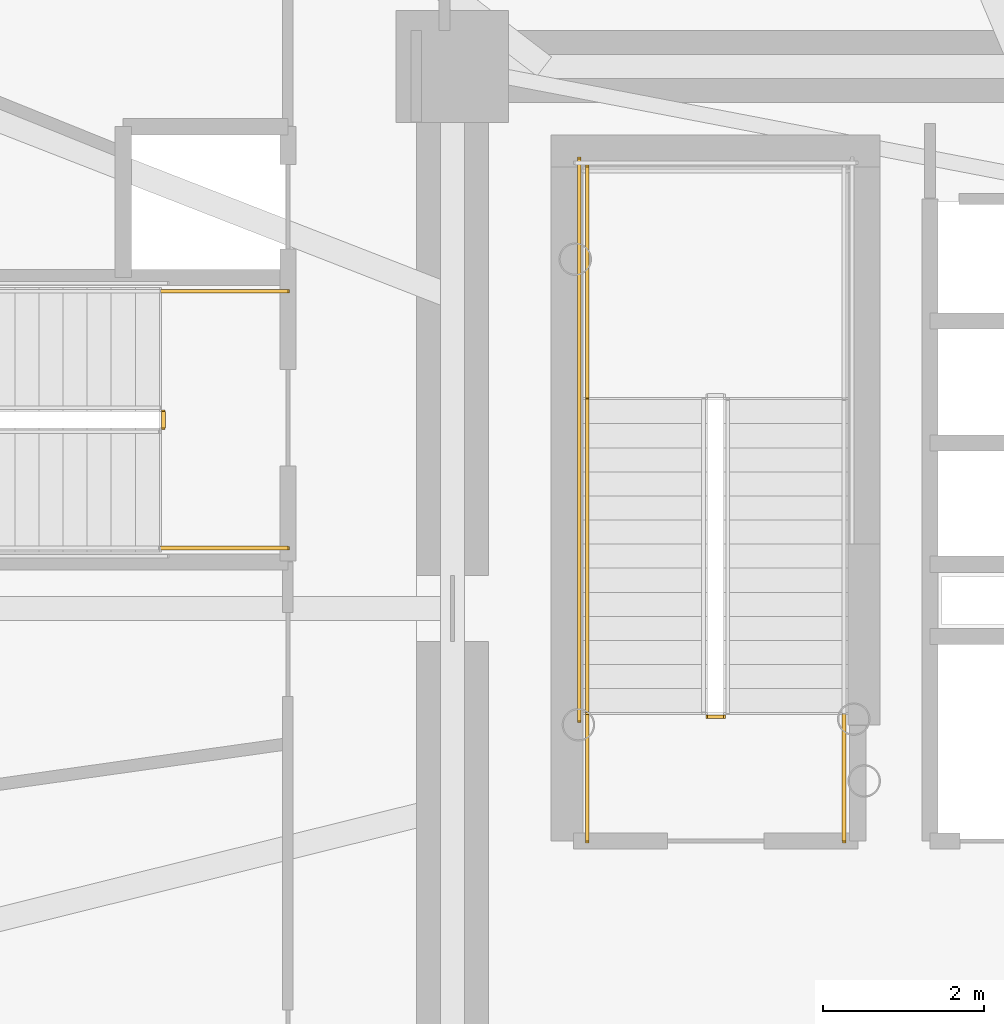
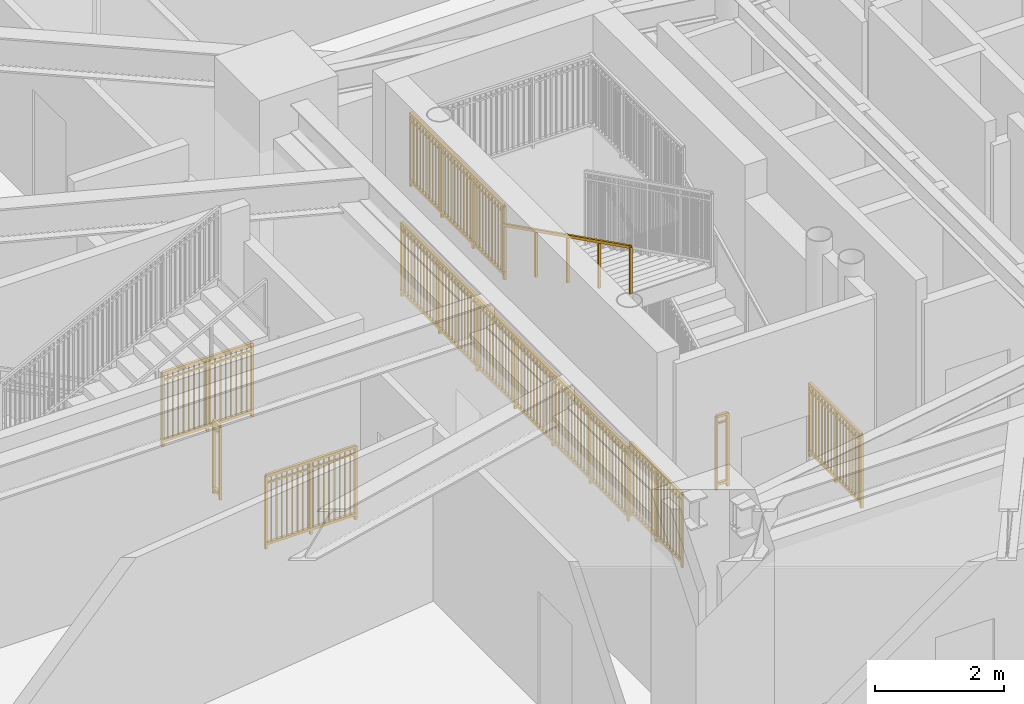
# One storey, part 21 of 29: 9 railings.
"""IFC4 building model written with IfcOpenShell, lengths in metres."""

from ifc_helpers import new_model, si_unit, direction, frame, origin, origin_2d, place, context, subcontext, project, spatial, rectangle, extrude, source, transform, mapped, material, type_object, element, save


model = new_model("IFC4")

# Units and contexts
model_context = context("Model", 3, precision=1e-05, world=origin(), true_north=direction((0.0, 1.0)))
body_context = subcontext(model_context, "Body", "Model", "MODEL_VIEW")
ifc_project = project(units=[si_unit("LENGTHUNIT", "METRE"), si_unit("AREAUNIT", "SQUARE_METRE"), si_unit("VOLUMEUNIT", "CUBIC_METRE"), si_unit("PLANEANGLEUNIT", "RADIAN"), si_unit("MASSUNIT", "GRAM", prefix="KILO")], contexts=[model_context])

# Site, building, storey
site_placement = place(None, origin())
site = spatial("IfcSite", under=ifc_project, at=site_placement, CompositionType="ELEMENT")
building_placement = place(site_placement, origin())
building = spatial("IfcBuilding", under=site, at=building_placement, Name="Linh Dai School and Residence Tower", CompositionType="ELEMENT")
storey_placement = place(building_placement, frame((0.0, 0.0, 45.0)))
storey = spatial("IfcBuildingStorey", under=building, at=storey_placement, Name="L10", CompositionType="ELEMENT", Elevation=45.0)

# Railings
ifc_material_1 = material(Name="Structural Steel S355JR", Category="steel")
railing_type_1 = type_object("IfcRailingType", Name="RL-ST-GUARD-1400", PredefinedType="GUARDRAIL", material=ifc_material_1)
shared_shape_1 = source(origin(), body_context, "Body", "SweptSolid", [
    extrude(rectangle(XDim=0.048095703125, YDim=0.048095703125, at=origin_2d()), frame((0.0, 0.0, 1.3759765625), z_axis=(-1.0, 0.0, 0.0), x_axis=(0.0, -1.0, 0.0)), (0.0, 0.0, 1.0), 0.199951171875),
    extrude(rectangle(XDim=0.048095703125, YDim=0.048095703125, at=origin_2d()), frame((0.0, 0.0, 0.10009765625), z_axis=(-1.0, 0.0, 0.0), x_axis=(0.0, -1.0, 0.0)), (0.0, 0.0, 1.0), 0.199951171875),
    extrude(rectangle(XDim=0.030029296875, YDim=0.030029296875, at=origin_2d()), frame((0.0, 0.0, 1.239990234375), z_axis=(-1.0, 0.0, 0.0), x_axis=(0.0, -1.0, 0.0)), (0.0, 0.0, 1.0), 0.199951171875),
    extrude(rectangle(XDim=0.0419921875, YDim=0.0419921875, at=origin_2d()), origin(), (0.0, 0.0, 1.0), 1.3759765625),
    extrude(rectangle(XDim=0.0419921875, YDim=0.0419921875, at=origin_2d()), frame((-0.199951171875, 0.0, 0.0)), (0.0, 0.0, 1.0), 1.3759765625),
])
railing_1_placement = place(storey_placement, frame((29.429931640625, 25.64990234375, 0.0)))
element("IfcRailing", 1, at=railing_1_placement, inside=storey, type_object=railing_type_1, Name="L10 ST1 stair guard 7", PredefinedType="GUARDRAIL", context=body_context, shape_type="MappedRepresentation", body=[
    mapped(shared_shape_1, transform((0.0, 0.0, 0.0), x_axis=(1.0, 0.0, 0.0), y_axis=(0.0, 1.0, 0.0), z_axis=(0.0, 0.0, 1.0), scale=1.0)),
])
shared_shape_2 = source(origin(), body_context, "Body", "SweptSolid", [
    extrude(rectangle(XDim=0.048095703125, YDim=0.048095703125, at=origin_2d()), frame((0.0, 0.0, 1.3759765625), z_axis=(0.0, 1.0, 0.0), x_axis=(-1.0, 0.0, 0.0)), (0.0, 0.0, 1.0), 1.599853515625),
    extrude(rectangle(XDim=0.048095703125, YDim=0.048095703125, at=origin_2d()), frame((0.0, 0.0, 0.10009765625), z_axis=(0.0, 1.0, 0.0), x_axis=(-1.0, 0.0, 0.0)), (0.0, 0.0, 1.0), 1.599853515625),
    extrude(rectangle(XDim=0.030029296875, YDim=0.030029296875, at=origin_2d()), frame((0.0, 0.0, 1.239990234375), z_axis=(0.0, 1.0, 0.0), x_axis=(-1.0, 0.0, 0.0)), (0.0, 0.0, 1.0), 1.599853515625),
    extrude(rectangle(XDim=0.02001953125, YDim=0.02001953125, at=origin_2d()), frame((0.0, 0.093994140625, 0.10009765625)), (0.0, 0.0, 1.0), 1.251708984375),
    extrude(rectangle(XDim=0.02001953125, YDim=0.02001953125, at=origin_2d()), frame((0.0, 0.188232421875, 0.10009765625)), (0.0, 0.0, 1.0), 1.251708984375),
    extrude(rectangle(XDim=0.02001953125, YDim=0.02001953125, at=origin_2d()), frame((0.0, 0.2822265625, 0.10009765625)), (0.0, 0.0, 1.0), 1.251708984375),
    extrude(rectangle(XDim=0.02001953125, YDim=0.02001953125, at=origin_2d()), frame((0.0, 0.37646484375, 0.10009765625)), (0.0, 0.0, 1.0), 1.251708984375),
    extrude(rectangle(XDim=0.02001953125, YDim=0.02001953125, at=origin_2d()), frame((0.0, 0.470458984375, 0.10009765625)), (0.0, 0.0, 1.0), 1.251708984375),
    extrude(rectangle(XDim=0.02001953125, YDim=0.02001953125, at=origin_2d()), frame((0.0, 0.564697265625, 0.10009765625)), (0.0, 0.0, 1.0), 1.251708984375),
    extrude(rectangle(XDim=0.02001953125, YDim=0.02001953125, at=origin_2d()), frame((0.0, 0.65869140625, 0.10009765625)), (0.0, 0.0, 1.0), 1.251708984375),
    extrude(rectangle(XDim=0.02001953125, YDim=0.02001953125, at=origin_2d()), frame((0.0, 0.7529296875, 0.10009765625)), (0.0, 0.0, 1.0), 1.251708984375),
    extrude(rectangle(XDim=0.02001953125, YDim=0.02001953125, at=origin_2d()), frame((0.0, 0.846923828125, 0.10009765625)), (0.0, 0.0, 1.0), 1.251708984375),
    extrude(rectangle(XDim=0.02001953125, YDim=0.02001953125, at=origin_2d()), frame((0.0, 0.941162109375, 0.10009765625)), (0.0, 0.0, 1.0), 1.251708984375),
    extrude(rectangle(XDim=0.02001953125, YDim=0.02001953125, at=origin_2d()), frame((0.0, 1.03515625, 0.10009765625)), (0.0, 0.0, 1.0), 1.251708984375),
    extrude(rectangle(XDim=0.02001953125, YDim=0.02001953125, at=origin_2d()), frame((0.0, 1.12939453125, 0.10009765625)), (0.0, 0.0, 1.0), 1.251708984375),
    extrude(rectangle(XDim=0.02001953125, YDim=0.02001953125, at=origin_2d()), frame((0.0, 1.223388671875, 0.10009765625)), (0.0, 0.0, 1.0), 1.251708984375),
    extrude(rectangle(XDim=0.02001953125, YDim=0.02001953125, at=origin_2d()), frame((0.0, 1.317626953125, 0.10009765625)), (0.0, 0.0, 1.0), 1.251708984375),
    extrude(rectangle(XDim=0.02001953125, YDim=0.02001953125, at=origin_2d()), frame((0.0, 1.41162109375, 0.10009765625)), (0.0, 0.0, 1.0), 1.251708984375),
    extrude(rectangle(XDim=0.02001953125, YDim=0.02001953125, at=origin_2d()), frame((0.0, 1.505859375, 0.10009765625)), (0.0, 0.0, 1.0), 1.251708984375),
    extrude(rectangle(XDim=0.0419921875, YDim=0.0419921875, at=origin_2d()), origin(), (0.0, 0.0, 1.0), 1.3759765625),
    extrude(rectangle(XDim=0.0419921875, YDim=0.0419921875, at=origin_2d()), frame((0.0, 0.7998046875, 0.0)), (0.0, 0.0, 1.0), 1.3759765625),
    extrude(rectangle(XDim=0.0419921875, YDim=0.0419921875, at=origin_2d()), frame((0.0, 1.599853515625, 0.0)), (0.0, 0.0, 1.0), 1.3759765625),
])
for number, where, name in (
    (2, (30.929931640625, 24.10009765625, 0.0), "L10 ST1 stair guard 8"),
    (3, (27.72998046875, 24.10009765625, 0.0), "L10 ST1 stair guard 9"),
):
    element("IfcRailing", number, at=place(storey_placement, frame(where)), inside=storey, type_object=railing_type_1, Name=name, PredefinedType="GUARDRAIL", context=body_context, shape_type="MappedRepresentation", body=[
        mapped(shared_shape_2, transform((0.0, 0.0, 0.0), x_axis=(1.0, 0.0, 0.0), y_axis=(0.0, 1.0, 0.0), z_axis=(0.0, 0.0, 1.0), scale=1.0)),
    ])
shared_shape_3 = source(origin(), body_context, "Body", "SweptSolid", [
    extrude(rectangle(XDim=0.048095703125, YDim=0.048095703125, at=origin_2d()), frame((0.0, 0.0, 1.3759765625), z_axis=(0.0, 1.0, 0.0), x_axis=(-1.0, 0.0, 0.0)), (0.0, 0.0, 1.0), 7.0),
    extrude(rectangle(XDim=0.048095703125, YDim=0.048095703125, at=origin_2d()), frame((0.0, 0.0, 0.10009765625), z_axis=(0.0, 1.0, 0.0), x_axis=(-1.0, 0.0, 0.0)), (0.0, 0.0, 1.0), 7.0),
    extrude(rectangle(XDim=0.030029296875, YDim=0.030029296875, at=origin_2d()), frame((0.0, 0.0, 1.239990234375), z_axis=(0.0, 1.0, 0.0), x_axis=(-1.0, 0.0, 0.0)), (0.0, 0.0, 1.0), 7.0),
    extrude(rectangle(XDim=0.02001953125, YDim=0.02001953125, at=origin_2d()), frame((0.0, 0.09716796875, 0.10009765625)), (0.0, 0.0, 1.0), 1.251708984375),
    extrude(rectangle(XDim=0.02001953125, YDim=0.02001953125, at=origin_2d()), frame((0.0, 0.1943359375, 0.10009765625)), (0.0, 0.0, 1.0), 1.251708984375),
    extrude(rectangle(XDim=0.02001953125, YDim=0.02001953125, at=origin_2d()), frame((0.0, 0.291748046875, 0.10009765625)), (0.0, 0.0, 1.0), 1.251708984375),
    extrude(rectangle(XDim=0.02001953125, YDim=0.02001953125, at=origin_2d()), frame((0.0, 0.388916015625, 0.10009765625)), (0.0, 0.0, 1.0), 1.251708984375),
    extrude(rectangle(XDim=0.02001953125, YDim=0.02001953125, at=origin_2d()), frame((0.0, 0.486083984375, 0.10009765625)), (0.0, 0.0, 1.0), 1.251708984375),
    extrude(rectangle(XDim=0.02001953125, YDim=0.02001953125, at=origin_2d()), frame((0.0, 0.583251953125, 0.10009765625)), (0.0, 0.0, 1.0), 1.251708984375),
    extrude(rectangle(XDim=0.02001953125, YDim=0.02001953125, at=origin_2d()), frame((0.0, 0.6806640625, 0.10009765625)), (0.0, 0.0, 1.0), 1.251708984375),
    extrude(rectangle(XDim=0.02001953125, YDim=0.02001953125, at=origin_2d()), frame((0.0, 0.77783203125, 0.10009765625)), (0.0, 0.0, 1.0), 1.251708984375),
    extrude(rectangle(XDim=0.02001953125, YDim=0.02001953125, at=origin_2d()), frame((0.0, 0.875, 0.10009765625)), (0.0, 0.0, 1.0), 1.251708984375),
    extrude(rectangle(XDim=0.02001953125, YDim=0.02001953125, at=origin_2d()), frame((0.0, 0.97216796875, 0.10009765625)), (0.0, 0.0, 1.0), 1.251708984375),
    extrude(rectangle(XDim=0.02001953125, YDim=0.02001953125, at=origin_2d()), frame((0.0, 1.0693359375, 0.10009765625)), (0.0, 0.0, 1.0), 1.251708984375),
    extrude(rectangle(XDim=0.02001953125, YDim=0.02001953125, at=origin_2d()), frame((0.0, 1.263916015625, 0.10009765625)), (0.0, 0.0, 1.0), 1.251708984375),
    extrude(rectangle(XDim=0.02001953125, YDim=0.02001953125, at=origin_2d()), frame((0.0, 1.361083984375, 0.10009765625)), (0.0, 0.0, 1.0), 1.251708984375),
    extrude(rectangle(XDim=0.02001953125, YDim=0.02001953125, at=origin_2d()), frame((0.0, 1.458251953125, 0.10009765625)), (0.0, 0.0, 1.0), 1.251708984375),
    extrude(rectangle(XDim=0.02001953125, YDim=0.02001953125, at=origin_2d()), frame((0.0, 1.5556640625, 0.10009765625)), (0.0, 0.0, 1.0), 1.251708984375),
    extrude(rectangle(XDim=0.02001953125, YDim=0.02001953125, at=origin_2d()), frame((0.0, 1.65283203125, 0.10009765625)), (0.0, 0.0, 1.0), 1.251708984375),
    extrude(rectangle(XDim=0.02001953125, YDim=0.02001953125, at=origin_2d()), frame((0.0, 1.75, 0.10009765625)), (0.0, 0.0, 1.0), 1.251708984375),
    extrude(rectangle(XDim=0.02001953125, YDim=0.02001953125, at=origin_2d()), frame((0.0, 1.84716796875, 0.10009765625)), (0.0, 0.0, 1.0), 1.251708984375),
    extrude(rectangle(XDim=0.02001953125, YDim=0.02001953125, at=origin_2d()), frame((0.0, 1.9443359375, 0.10009765625)), (0.0, 0.0, 1.0), 1.251708984375),
    extrude(rectangle(XDim=0.02001953125, YDim=0.02001953125, at=origin_2d()), frame((0.0, 2.041748046875, 0.10009765625)), (0.0, 0.0, 1.0), 1.251708984375),
    extrude(rectangle(XDim=0.02001953125, YDim=0.02001953125, at=origin_2d()), frame((0.0, 2.138916015625, 0.10009765625)), (0.0, 0.0, 1.0), 1.251708984375),
    extrude(rectangle(XDim=0.02001953125, YDim=0.02001953125, at=origin_2d()), frame((0.0, 2.236083984375, 0.10009765625)), (0.0, 0.0, 1.0), 1.251708984375),
    extrude(rectangle(XDim=0.02001953125, YDim=0.02001953125, at=origin_2d()), frame((0.0, 2.4306640625, 0.10009765625)), (0.0, 0.0, 1.0), 1.251708984375),
    extrude(rectangle(XDim=0.02001953125, YDim=0.02001953125, at=origin_2d()), frame((0.0, 2.52783203125, 0.10009765625)), (0.0, 0.0, 1.0), 1.251708984375),
    extrude(rectangle(XDim=0.02001953125, YDim=0.02001953125, at=origin_2d()), frame((0.0, 2.625, 0.10009765625)), (0.0, 0.0, 1.0), 1.251708984375),
    extrude(rectangle(XDim=0.02001953125, YDim=0.02001953125, at=origin_2d()), frame((0.0, 2.72216796875, 0.10009765625)), (0.0, 0.0, 1.0), 1.251708984375),
    extrude(rectangle(XDim=0.02001953125, YDim=0.02001953125, at=origin_2d()), frame((0.0, 2.8193359375, 0.10009765625)), (0.0, 0.0, 1.0), 1.251708984375),
    extrude(rectangle(XDim=0.02001953125, YDim=0.02001953125, at=origin_2d()), frame((0.0, 2.916748046875, 0.10009765625)), (0.0, 0.0, 1.0), 1.251708984375),
    extrude(rectangle(XDim=0.02001953125, YDim=0.02001953125, at=origin_2d()), frame((0.0, 3.013916015625, 0.10009765625)), (0.0, 0.0, 1.0), 1.251708984375),
    extrude(rectangle(XDim=0.02001953125, YDim=0.02001953125, at=origin_2d()), frame((0.0, 3.111083984375, 0.10009765625)), (0.0, 0.0, 1.0), 1.251708984375),
    extrude(rectangle(XDim=0.02001953125, YDim=0.02001953125, at=origin_2d()), frame((0.0, 3.208251953125, 0.10009765625)), (0.0, 0.0, 1.0), 1.251708984375),
    extrude(rectangle(XDim=0.02001953125, YDim=0.02001953125, at=origin_2d()), frame((0.0, 3.3056640625, 0.10009765625)), (0.0, 0.0, 1.0), 1.251708984375),
    extrude(rectangle(XDim=0.02001953125, YDim=0.02001953125, at=origin_2d()), frame((0.0, 3.40283203125, 0.10009765625)), (0.0, 0.0, 1.0), 1.251708984375),
    extrude(rectangle(XDim=0.02001953125, YDim=0.02001953125, at=origin_2d()), frame((0.0, 3.59716796875, 0.10009765625)), (0.0, 0.0, 1.0), 1.251708984375),
    extrude(rectangle(XDim=0.02001953125, YDim=0.02001953125, at=origin_2d()), frame((0.0, 3.6943359375, 0.10009765625)), (0.0, 0.0, 1.0), 1.251708984375),
    extrude(rectangle(XDim=0.02001953125, YDim=0.02001953125, at=origin_2d()), frame((0.0, 3.791748046875, 0.10009765625)), (0.0, 0.0, 1.0), 1.251708984375),
    extrude(rectangle(XDim=0.02001953125, YDim=0.02001953125, at=origin_2d()), frame((0.0, 3.888916015625, 0.10009765625)), (0.0, 0.0, 1.0), 1.251708984375),
    extrude(rectangle(XDim=0.02001953125, YDim=0.02001953125, at=origin_2d()), frame((0.0, 3.986083984375, 0.10009765625)), (0.0, 0.0, 1.0), 1.251708984375),
    extrude(rectangle(XDim=0.02001953125, YDim=0.02001953125, at=origin_2d()), frame((0.0, 4.083251953125, 0.10009765625)), (0.0, 0.0, 1.0), 1.251708984375),
    extrude(rectangle(XDim=0.02001953125, YDim=0.02001953125, at=origin_2d()), frame((0.0, 4.1806640625, 0.10009765625)), (0.0, 0.0, 1.0), 1.251708984375),
    extrude(rectangle(XDim=0.02001953125, YDim=0.02001953125, at=origin_2d()), frame((0.0, 4.27783203125, 0.10009765625)), (0.0, 0.0, 1.0), 1.251708984375),
    extrude(rectangle(XDim=0.02001953125, YDim=0.02001953125, at=origin_2d()), frame((0.0, 4.375, 0.10009765625)), (0.0, 0.0, 1.0), 1.251708984375),
    extrude(rectangle(XDim=0.02001953125, YDim=0.02001953125, at=origin_2d()), frame((0.0, 4.47216796875, 0.10009765625)), (0.0, 0.0, 1.0), 1.251708984375),
    extrude(rectangle(XDim=0.02001953125, YDim=0.02001953125, at=origin_2d()), frame((0.0, 4.5693359375, 0.10009765625)), (0.0, 0.0, 1.0), 1.251708984375),
    extrude(rectangle(XDim=0.02001953125, YDim=0.02001953125, at=origin_2d()), frame((0.0, 4.763916015625, 0.10009765625)), (0.0, 0.0, 1.0), 1.251708984375),
    extrude(rectangle(XDim=0.02001953125, YDim=0.02001953125, at=origin_2d()), frame((0.0, 4.861083984375, 0.10009765625)), (0.0, 0.0, 1.0), 1.251708984375),
    extrude(rectangle(XDim=0.02001953125, YDim=0.02001953125, at=origin_2d()), frame((0.0, 4.958251953125, 0.10009765625)), (0.0, 0.0, 1.0), 1.251708984375),
    extrude(rectangle(XDim=0.02001953125, YDim=0.02001953125, at=origin_2d()), frame((0.0, 5.0556640625, 0.10009765625)), (0.0, 0.0, 1.0), 1.251708984375),
    extrude(rectangle(XDim=0.02001953125, YDim=0.02001953125, at=origin_2d()), frame((0.0, 5.15283203125, 0.10009765625)), (0.0, 0.0, 1.0), 1.251708984375),
    extrude(rectangle(XDim=0.02001953125, YDim=0.02001953125, at=origin_2d()), frame((0.0, 5.25, 0.10009765625)), (0.0, 0.0, 1.0), 1.251708984375),
    extrude(rectangle(XDim=0.02001953125, YDim=0.02001953125, at=origin_2d()), frame((0.0, 5.34716796875, 0.10009765625)), (0.0, 0.0, 1.0), 1.251708984375),
    extrude(rectangle(XDim=0.02001953125, YDim=0.02001953125, at=origin_2d()), frame((0.0, 5.4443359375, 0.10009765625)), (0.0, 0.0, 1.0), 1.251708984375),
    extrude(rectangle(XDim=0.02001953125, YDim=0.02001953125, at=origin_2d()), frame((0.0, 5.541748046875, 0.10009765625)), (0.0, 0.0, 1.0), 1.251708984375),
    extrude(rectangle(XDim=0.02001953125, YDim=0.02001953125, at=origin_2d()), frame((0.0, 5.638916015625, 0.10009765625)), (0.0, 0.0, 1.0), 1.251708984375),
    extrude(rectangle(XDim=0.02001953125, YDim=0.02001953125, at=origin_2d()), frame((0.0, 5.736083984375, 0.10009765625)), (0.0, 0.0, 1.0), 1.251708984375),
    extrude(rectangle(XDim=0.02001953125, YDim=0.02001953125, at=origin_2d()), frame((0.0, 5.9306640625, 0.10009765625)), (0.0, 0.0, 1.0), 1.251708984375),
    extrude(rectangle(XDim=0.02001953125, YDim=0.02001953125, at=origin_2d()), frame((0.0, 6.02783203125, 0.10009765625)), (0.0, 0.0, 1.0), 1.251708984375),
    extrude(rectangle(XDim=0.02001953125, YDim=0.02001953125, at=origin_2d()), frame((0.0, 6.125, 0.10009765625)), (0.0, 0.0, 1.0), 1.251708984375),
    extrude(rectangle(XDim=0.02001953125, YDim=0.02001953125, at=origin_2d()), frame((0.0, 6.22216796875, 0.10009765625)), (0.0, 0.0, 1.0), 1.251708984375),
    extrude(rectangle(XDim=0.02001953125, YDim=0.02001953125, at=origin_2d()), frame((0.0, 6.3193359375, 0.10009765625)), (0.0, 0.0, 1.0), 1.251708984375),
    extrude(rectangle(XDim=0.02001953125, YDim=0.02001953125, at=origin_2d()), frame((0.0, 6.416748046875, 0.10009765625)), (0.0, 0.0, 1.0), 1.251708984375),
    extrude(rectangle(XDim=0.02001953125, YDim=0.02001953125, at=origin_2d()), frame((0.0, 6.513916015625, 0.10009765625)), (0.0, 0.0, 1.0), 1.251708984375),
    extrude(rectangle(XDim=0.02001953125, YDim=0.02001953125, at=origin_2d()), frame((0.0, 6.611083984375, 0.10009765625)), (0.0, 0.0, 1.0), 1.251708984375),
    extrude(rectangle(XDim=0.02001953125, YDim=0.02001953125, at=origin_2d()), frame((0.0, 6.708251953125, 0.10009765625)), (0.0, 0.0, 1.0), 1.251708984375),
    extrude(rectangle(XDim=0.02001953125, YDim=0.02001953125, at=origin_2d()), frame((0.0, 6.8056640625, 0.10009765625)), (0.0, 0.0, 1.0), 1.251708984375),
    extrude(rectangle(XDim=0.02001953125, YDim=0.02001953125, at=origin_2d()), frame((0.0, 6.90283203125, 0.10009765625)), (0.0, 0.0, 1.0), 1.251708984375),
    extrude(rectangle(XDim=0.0419921875, YDim=0.0419921875, at=origin_2d()), origin(), (0.0, 0.0, 1.0), 1.3759765625),
    extrude(rectangle(XDim=0.0419921875, YDim=0.0419921875, at=origin_2d()), frame((0.0, 1.166748046875, 0.0)), (0.0, 0.0, 1.0), 1.3759765625),
    extrude(rectangle(XDim=0.0419921875, YDim=0.0419921875, at=origin_2d()), frame((0.0, 2.333251953125, 0.0)), (0.0, 0.0, 1.0), 1.3759765625),
    extrude(rectangle(XDim=0.0419921875, YDim=0.0419921875, at=origin_2d()), frame((0.0, 3.5, 0.0)), (0.0, 0.0, 1.0), 1.3759765625),
    extrude(rectangle(XDim=0.0419921875, YDim=0.0419921875, at=origin_2d()), frame((0.0, 4.666748046875, 0.0)), (0.0, 0.0, 1.0), 1.3759765625),
    extrude(rectangle(XDim=0.0419921875, YDim=0.0419921875, at=origin_2d()), frame((0.0, 5.833251953125, 0.0)), (0.0, 0.0, 1.0), 1.3759765625),
    extrude(rectangle(XDim=0.0419921875, YDim=0.0419921875, at=origin_2d()), frame((0.0, 7.0, 0.0)), (0.0, 0.0, 1.0), 1.3759765625),
])
railing_2_placement = place(storey_placement, frame((27.6298828125, 25.60009765625, 0.0)))
element("IfcRailing", 4, at=railing_2_placement, inside=storey, type_object=railing_type_1, Name="L10 ST1 stair guard 11", PredefinedType="GUARDRAIL", context=body_context, shape_type="MappedRepresentation", body=[
    mapped(shared_shape_3, transform((0.0, 0.0, 0.0), x_axis=(1.0, 0.0, 0.0), y_axis=(0.0, 1.0, 0.0), z_axis=(0.0, 0.0, 1.0), scale=1.0)),
])
shared_shape_4 = source(origin(), body_context, "Body", "SweptSolid", [
    extrude(rectangle(XDim=0.048095703125, YDim=0.048095703125, at=origin_2d()), frame((0.0, 0.0, 1.3759765625), z_axis=(0.0, 1.0, 0.0), x_axis=(-1.0, 0.0, 0.0)), (0.0, 0.0, 1.0), 2.89990234375),
    extrude(rectangle(XDim=0.048095703125, YDim=0.048095703125, at=origin_2d()), frame((0.0, 0.0, 0.10009765625), z_axis=(0.0, 1.0, 0.0), x_axis=(-1.0, 0.0, 0.0)), (0.0, 0.0, 1.0), 2.89990234375),
    extrude(rectangle(XDim=0.030029296875, YDim=0.030029296875, at=origin_2d()), frame((0.0, 0.0, 1.239990234375), z_axis=(0.0, 1.0, 0.0), x_axis=(-1.0, 0.0, 0.0)), (0.0, 0.0, 1.0), 2.89990234375),
    extrude(rectangle(XDim=0.02001953125, YDim=0.02001953125, at=origin_2d()), frame((0.0, 0.0966796875, 0.10009765625)), (0.0, 0.0, 1.0), 1.251708984375),
    extrude(rectangle(XDim=0.02001953125, YDim=0.02001953125, at=origin_2d()), frame((0.0, 0.193359375, 0.10009765625)), (0.0, 0.0, 1.0), 1.251708984375),
    extrude(rectangle(XDim=0.02001953125, YDim=0.02001953125, at=origin_2d()), frame((0.0, 0.2900390625, 0.10009765625)), (0.0, 0.0, 1.0), 1.251708984375),
    extrude(rectangle(XDim=0.02001953125, YDim=0.02001953125, at=origin_2d()), frame((0.0, 0.38671875, 0.10009765625)), (0.0, 0.0, 1.0), 1.251708984375),
    extrude(rectangle(XDim=0.02001953125, YDim=0.02001953125, at=origin_2d()), frame((0.0, 0.4833984375, 0.10009765625)), (0.0, 0.0, 1.0), 1.251708984375),
    extrude(rectangle(XDim=0.02001953125, YDim=0.02001953125, at=origin_2d()), frame((0.0, 0.580078125, 0.10009765625)), (0.0, 0.0, 1.0), 1.251708984375),
    extrude(rectangle(XDim=0.02001953125, YDim=0.02001953125, at=origin_2d()), frame((0.0, 0.6767578125, 0.10009765625)), (0.0, 0.0, 1.0), 1.251708984375),
    extrude(rectangle(XDim=0.02001953125, YDim=0.02001953125, at=origin_2d()), frame((0.0, 0.773193359375, 0.10009765625)), (0.0, 0.0, 1.0), 1.251708984375),
    extrude(rectangle(XDim=0.02001953125, YDim=0.02001953125, at=origin_2d()), frame((0.0, 0.869873046875, 0.10009765625)), (0.0, 0.0, 1.0), 1.251708984375),
    extrude(rectangle(XDim=0.02001953125, YDim=0.02001953125, at=origin_2d()), frame((0.0, 1.063232421875, 0.10009765625)), (0.0, 0.0, 1.0), 1.251708984375),
    extrude(rectangle(XDim=0.02001953125, YDim=0.02001953125, at=origin_2d()), frame((0.0, 1.159912109375, 0.10009765625)), (0.0, 0.0, 1.0), 1.251708984375),
    extrude(rectangle(XDim=0.02001953125, YDim=0.02001953125, at=origin_2d()), frame((0.0, 1.256591796875, 0.10009765625)), (0.0, 0.0, 1.0), 1.251708984375),
    extrude(rectangle(XDim=0.02001953125, YDim=0.02001953125, at=origin_2d()), frame((0.0, 1.353271484375, 0.10009765625)), (0.0, 0.0, 1.0), 1.251708984375),
    extrude(rectangle(XDim=0.02001953125, YDim=0.02001953125, at=origin_2d()), frame((0.0, 1.449951171875, 0.10009765625)), (0.0, 0.0, 1.0), 1.251708984375),
    extrude(rectangle(XDim=0.02001953125, YDim=0.02001953125, at=origin_2d()), frame((0.0, 1.546630859375, 0.10009765625)), (0.0, 0.0, 1.0), 1.251708984375),
    extrude(rectangle(XDim=0.02001953125, YDim=0.02001953125, at=origin_2d()), frame((0.0, 1.643310546875, 0.10009765625)), (0.0, 0.0, 1.0), 1.251708984375),
    extrude(rectangle(XDim=0.02001953125, YDim=0.02001953125, at=origin_2d()), frame((0.0, 1.739990234375, 0.10009765625)), (0.0, 0.0, 1.0), 1.251708984375),
    extrude(rectangle(XDim=0.02001953125, YDim=0.02001953125, at=origin_2d()), frame((0.0, 1.836669921875, 0.10009765625)), (0.0, 0.0, 1.0), 1.251708984375),
    extrude(rectangle(XDim=0.02001953125, YDim=0.02001953125, at=origin_2d()), frame((0.0, 2.030029296875, 0.10009765625)), (0.0, 0.0, 1.0), 1.251708984375),
    extrude(rectangle(XDim=0.02001953125, YDim=0.02001953125, at=origin_2d()), frame((0.0, 2.126708984375, 0.10009765625)), (0.0, 0.0, 1.0), 1.251708984375),
    extrude(rectangle(XDim=0.02001953125, YDim=0.02001953125, at=origin_2d()), frame((0.0, 2.22314453125, 0.10009765625)), (0.0, 0.0, 1.0), 1.251708984375),
    extrude(rectangle(XDim=0.02001953125, YDim=0.02001953125, at=origin_2d()), frame((0.0, 2.31982421875, 0.10009765625)), (0.0, 0.0, 1.0), 1.251708984375),
    extrude(rectangle(XDim=0.02001953125, YDim=0.02001953125, at=origin_2d()), frame((0.0, 2.41650390625, 0.10009765625)), (0.0, 0.0, 1.0), 1.251708984375),
    extrude(rectangle(XDim=0.02001953125, YDim=0.02001953125, at=origin_2d()), frame((0.0, 2.51318359375, 0.10009765625)), (0.0, 0.0, 1.0), 1.251708984375),
    extrude(rectangle(XDim=0.02001953125, YDim=0.02001953125, at=origin_2d()), frame((0.0, 2.60986328125, 0.10009765625)), (0.0, 0.0, 1.0), 1.251708984375),
    extrude(rectangle(XDim=0.02001953125, YDim=0.02001953125, at=origin_2d()), frame((0.0, 2.70654296875, 0.10009765625)), (0.0, 0.0, 1.0), 1.251708984375),
    extrude(rectangle(XDim=0.02001953125, YDim=0.02001953125, at=origin_2d()), frame((0.0, 2.80322265625, 0.10009765625)), (0.0, 0.0, 1.0), 1.251708984375),
    extrude(rectangle(XDim=0.0419921875, YDim=0.0419921875, at=origin_2d()), origin(), (0.0, 0.0, 1.0), 1.3759765625),
    extrude(rectangle(XDim=0.0419921875, YDim=0.0419921875, at=origin_2d()), frame((0.0, 0.966552734375, 0.0)), (0.0, 0.0, 1.0), 1.3759765625),
    extrude(rectangle(XDim=0.0419921875, YDim=0.0419921875, at=origin_2d()), frame((0.0, 1.933349609375, 0.0)), (0.0, 0.0, 1.0), 1.3759765625),
    extrude(rectangle(XDim=0.0419921875, YDim=0.0419921875, at=origin_2d()), frame((0.0, 2.89990234375, 0.0)), (0.0, 0.0, 1.0), 1.3759765625),
])
railing_3_placement = place(storey_placement, frame((27.72998046875, 29.60009765625, 2.10009765625)))
element("IfcRailing", 5, at=railing_3_placement, inside=storey, type_object=railing_type_1, Name="L10 ST1 stair guard 4", PredefinedType="GUARDRAIL", context=body_context, shape_type="MappedRepresentation", body=[
    mapped(shared_shape_4, transform((0.0, 0.0, 0.0), x_axis=(1.0, 0.0, 0.0), y_axis=(0.0, 1.0, 0.0), z_axis=(0.0, 0.0, 1.0), scale=1.0)),
])
ifc_material_2 = material(Name="Brushed Stainless Steel Handrail", Category="steel")
railing_type_2 = type_object("IfcRailingType", Name="RL-ST-HANDRAIL-900", PredefinedType="HANDRAIL", material=ifc_material_2)
shared_shape_5 = source(origin(), body_context, "Body", "SweptSolid", [
    extrude(rectangle(XDim=0.048095703125, YDim=0.048095703125, at=origin_2d()), frame((0.0, 0.0, 0.8759765625), z_axis=(0.0, -0.894438388696, 0.447191199406), x_axis=(1.0, 0.0, 0.0)), (0.0, 0.0, 1.0), 4.3603515625),
    extrude(rectangle(XDim=0.0419921875, YDim=0.0419921875, at=origin_2d()), origin(), (0.0, 0.0, 1.0), 0.8759765625),
    extrude(rectangle(XDim=0.0419921875, YDim=0.0419921875, at=origin_2d()), frame((0.0, -0.97509765625, 0.487548828125)), (0.0, 0.0, 1.0), 0.8759765625),
    extrude(rectangle(XDim=0.0419921875, YDim=0.0419921875, at=origin_2d()), frame((0.0, -1.9501953125, 0.97509765625)), (0.0, 0.0, 1.0), 0.8759765625),
    extrude(rectangle(XDim=0.0419921875, YDim=0.0419921875, at=origin_2d()), frame((0.0, -2.925048828125, 1.46240234375)), (0.0, 0.0, 1.0), 0.8759765625),
    extrude(rectangle(XDim=0.0419921875, YDim=0.0419921875, at=origin_2d()), frame((0.0, -3.900146484375, 1.949951171875)), (0.0, 0.0, 1.0), 0.8759765625),
])
railing_4_placement = place(storey_placement, frame((27.72998046875, 29.60009765625, 2.25)))
element("IfcRailing", 6, at=railing_4_placement, inside=storey, type_object=railing_type_2, Name="L10 ST1 stair handrail 2", PredefinedType="HANDRAIL", context=body_context, shape_type="MappedRepresentation", body=[
    mapped(shared_shape_5, transform((0.0, 0.0, 0.0), x_axis=(1.0, 0.0, 0.0), y_axis=(0.0, 1.0, 0.0), z_axis=(0.0, 0.0, 1.0), scale=1.0)),
])
shared_shape_6 = source(origin(), body_context, "Body", "SweptSolid", [
    extrude(rectangle(XDim=0.048095703125, YDim=0.048095703125, at=origin_2d()), frame((0.0, 0.0, 1.3759765625), z_axis=(0.0, -1.0, 0.0), x_axis=(1.0, 0.0, 0.0)), (0.0, 0.0, 1.0), 0.199951171875),
    extrude(rectangle(XDim=0.048095703125, YDim=0.048095703125, at=origin_2d()), frame((0.0, 0.0, 0.10009765625), z_axis=(0.0, -1.0, 0.0), x_axis=(1.0, 0.0, 0.0)), (0.0, 0.0, 1.0), 0.199951171875),
    extrude(rectangle(XDim=0.030029296875, YDim=0.030029296875, at=origin_2d()), frame((0.0, 0.0, 1.239990234375), z_axis=(0.0, -1.0, 0.0), x_axis=(1.0, 0.0, 0.0)), (0.0, 0.0, 1.0), 0.199951171875),
    extrude(rectangle(XDim=0.0419921875, YDim=0.0419921875, at=origin_2d()), origin(), (0.0, 0.0, 1.0), 1.3759765625),
    extrude(rectangle(XDim=0.0419921875, YDim=0.0419921875, at=origin_2d()), frame((0.0, -0.199951171875, 0.0)), (0.0, 0.0, 1.0), 1.3759765625),
])
railing_5_placement = place(storey_placement, frame((22.449951171875, 29.449951171875, 0.0)))
element("IfcRailing", 7, at=railing_5_placement, inside=storey, type_object=railing_type_1, Name="L10 STS1 stair guard 7", PredefinedType="GUARDRAIL", context=body_context, shape_type="MappedRepresentation", body=[
    mapped(shared_shape_6, transform((0.0, 0.0, 0.0), x_axis=(1.0, 0.0, 0.0), y_axis=(0.0, 1.0, 0.0), z_axis=(0.0, 0.0, 1.0), scale=1.0)),
])
shared_shape_7 = source(origin(), body_context, "Body", "SweptSolid", [
    extrude(rectangle(XDim=0.048095703125, YDim=0.048095703125, at=origin_2d()), frame((0.0, 0.0, 1.3759765625), z_axis=(-1.0, 0.0, 0.0), x_axis=(0.0, -1.0, 0.0)), (0.0, 0.0, 1.0), 1.60009765625),
    extrude(rectangle(XDim=0.048095703125, YDim=0.048095703125, at=origin_2d()), frame((0.0, 0.0, 0.10009765625), z_axis=(-1.0, 0.0, 0.0), x_axis=(0.0, -1.0, 0.0)), (0.0, 0.0, 1.0), 1.60009765625),
    extrude(rectangle(XDim=0.030029296875, YDim=0.030029296875, at=origin_2d()), frame((0.0, 0.0, 1.239990234375), z_axis=(-1.0, 0.0, 0.0), x_axis=(0.0, -1.0, 0.0)), (0.0, 0.0, 1.0), 1.60009765625),
    extrude(rectangle(XDim=0.02001953125, YDim=0.02001953125, at=origin_2d()), frame((-0.09423828125, 0.0, 0.10009765625)), (0.0, 0.0, 1.0), 1.251708984375),
    extrude(rectangle(XDim=0.02001953125, YDim=0.02001953125, at=origin_2d()), frame((-0.188232421875, 0.0, 0.10009765625)), (0.0, 0.0, 1.0), 1.251708984375),
    extrude(rectangle(XDim=0.02001953125, YDim=0.02001953125, at=origin_2d()), frame((-0.282470703125, 0.0, 0.10009765625)), (0.0, 0.0, 1.0), 1.251708984375),
    extrude(rectangle(XDim=0.02001953125, YDim=0.02001953125, at=origin_2d()), frame((-0.37646484375, 0.0, 0.10009765625)), (0.0, 0.0, 1.0), 1.251708984375),
    extrude(rectangle(XDim=0.02001953125, YDim=0.02001953125, at=origin_2d()), frame((-0.470703125, 0.0, 0.10009765625)), (0.0, 0.0, 1.0), 1.251708984375),
    extrude(rectangle(XDim=0.02001953125, YDim=0.02001953125, at=origin_2d()), frame((-0.564697265625, 0.0, 0.10009765625)), (0.0, 0.0, 1.0), 1.251708984375),
    extrude(rectangle(XDim=0.02001953125, YDim=0.02001953125, at=origin_2d()), frame((-0.658935546875, 0.0, 0.10009765625)), (0.0, 0.0, 1.0), 1.251708984375),
    extrude(rectangle(XDim=0.02001953125, YDim=0.02001953125, at=origin_2d()), frame((-0.7529296875, 0.0, 0.10009765625)), (0.0, 0.0, 1.0), 1.251708984375),
    extrude(rectangle(XDim=0.02001953125, YDim=0.02001953125, at=origin_2d()), frame((-0.84716796875, 0.0, 0.10009765625)), (0.0, 0.0, 1.0), 1.251708984375),
    extrude(rectangle(XDim=0.02001953125, YDim=0.02001953125, at=origin_2d()), frame((-0.941162109375, 0.0, 0.10009765625)), (0.0, 0.0, 1.0), 1.251708984375),
    extrude(rectangle(XDim=0.02001953125, YDim=0.02001953125, at=origin_2d()), frame((-1.035400390625, 0.0, 0.10009765625)), (0.0, 0.0, 1.0), 1.251708984375),
    extrude(rectangle(XDim=0.02001953125, YDim=0.02001953125, at=origin_2d()), frame((-1.12939453125, 0.0, 0.10009765625)), (0.0, 0.0, 1.0), 1.251708984375),
    extrude(rectangle(XDim=0.02001953125, YDim=0.02001953125, at=origin_2d()), frame((-1.2236328125, 0.0, 0.10009765625)), (0.0, 0.0, 1.0), 1.251708984375),
    extrude(rectangle(XDim=0.02001953125, YDim=0.02001953125, at=origin_2d()), frame((-1.317626953125, 0.0, 0.10009765625)), (0.0, 0.0, 1.0), 1.251708984375),
    extrude(rectangle(XDim=0.02001953125, YDim=0.02001953125, at=origin_2d()), frame((-1.411865234375, 0.0, 0.10009765625)), (0.0, 0.0, 1.0), 1.251708984375),
    extrude(rectangle(XDim=0.02001953125, YDim=0.02001953125, at=origin_2d()), frame((-1.505859375, 0.0, 0.10009765625)), (0.0, 0.0, 1.0), 1.251708984375),
    extrude(rectangle(XDim=0.0419921875, YDim=0.0419921875, at=origin_2d()), origin(), (0.0, 0.0, 1.0), 1.3759765625),
    extrude(rectangle(XDim=0.0419921875, YDim=0.0419921875, at=origin_2d()), frame((-0.800048828125, 0.0, 0.0)), (0.0, 0.0, 1.0), 1.3759765625),
    extrude(rectangle(XDim=0.0419921875, YDim=0.0419921875, at=origin_2d()), frame((-1.60009765625, 0.0, 0.0)), (0.0, 0.0, 1.0), 1.3759765625),
])
for number, where, name in (
    (8, (24.0, 30.949951171875, 0.0), "L10 STS1 stair guard 8"),
    (9, (24.0, 27.75, 0.0), "L10 STS1 stair guard 9"),
):
    element("IfcRailing", number, at=place(storey_placement, frame(where)), inside=storey, type_object=railing_type_1, Name=name, PredefinedType="GUARDRAIL", context=body_context, shape_type="MappedRepresentation", body=[
        mapped(shared_shape_7, transform((0.0, 0.0, 0.0), x_axis=(1.0, 0.0, 0.0), y_axis=(0.0, 1.0, 0.0), z_axis=(0.0, 0.0, 1.0), scale=1.0)),
    ])

save(model, "model.ifc")
